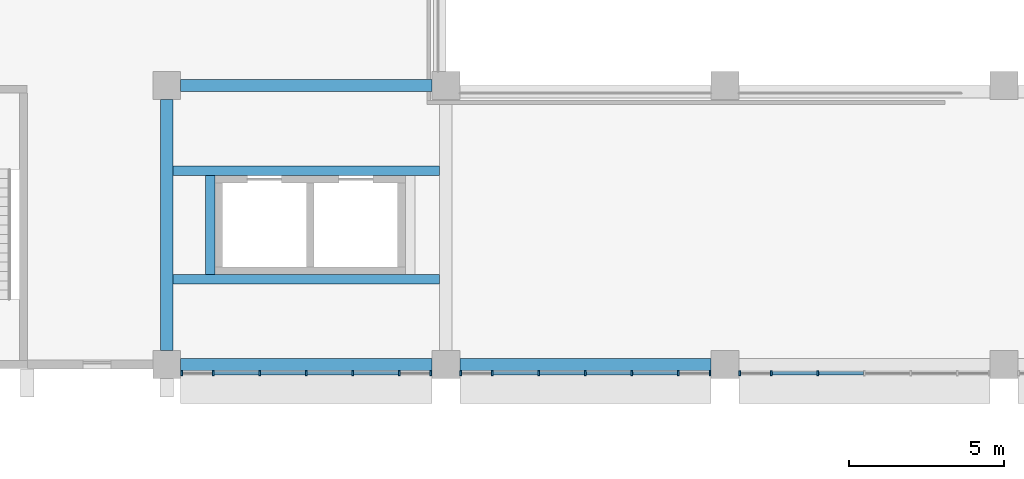
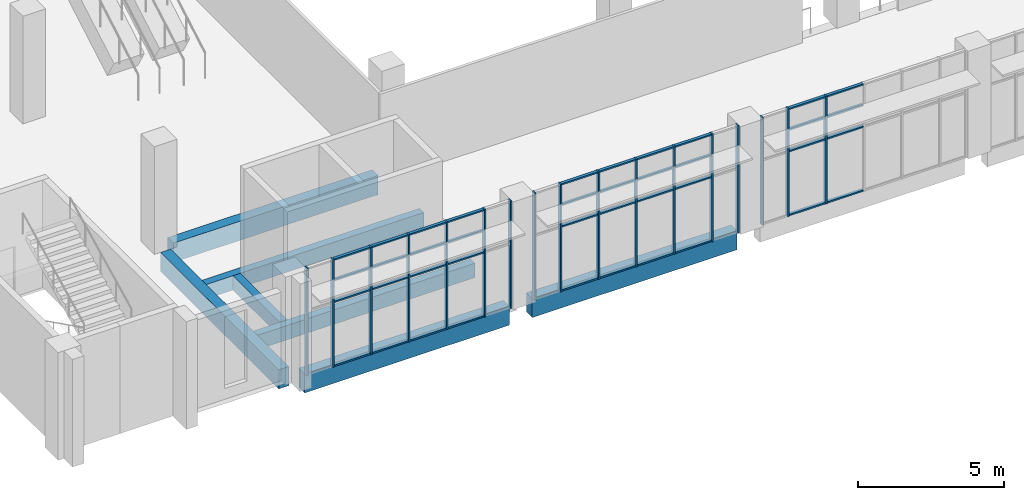
# One storey, part 2 of 88: 57 members, 7 beams, 3 elements without a shape of their own.
"""IFC4 building model written with IfcOpenShell, lengths in metres."""

import ifcopenshell
import ifcopenshell.guid

model = None  # the IFC model being written
_history = None  # IfcOwnerHistory: only IFC2X3 demands one
_inside = {}  # id of a spatial element -> (the spatial element, [elements in it])
_under = {}  # id of a project, library or spatial element -> (it, [spatial elements below it])
_declared = {}  # id of a project -> (the project, [libraries it declares])
_typed = {}  # id of a type object -> (the type object, [elements of that type])
_made_of = {}  # id of a material, layer set ... -> (it, [elements and type objects made of it])


def new_model(schema):
    """Start an empty IFC model of exactly this schema.

    Asked for "IFC4X3", IfcOpenShell would pick the latest addendum, in which some entities
    have other attributes; the version numbers below select the first issue.
    IFC2X3 requires an IfcOwnerHistory on every rooted entity: one is made here for all.
    """
    global model, _history
    if schema == "IFC4X3":
        model = ifcopenshell.file(schema_version=(4, 3, 0, 0))
    else:
        model = ifcopenshell.file(schema=schema)
    _inside.clear()
    _under.clear()
    _declared.clear()
    _typed.clear()
    _made_of.clear()
    _history = None
    if model.schema == "IFC2X3":
        org = make("IfcOrganization", Name="unknown")
        user = make(
            "IfcPersonAndOrganization",
            ThePerson=make("IfcPerson", FamilyName="unknown"),
            TheOrganization=org,
        )
        app = make(
            "IfcApplication",
            ApplicationDeveloper=org,
            Version="unknown",
            ApplicationFullName="unknown",
            ApplicationIdentifier="unknown",
        )
        _history = make(
            "IfcOwnerHistory",
            OwningUser=user,
            OwningApplication=app,
            ChangeAction="ADDED",
            CreationDate=0,
        )
    return model


def make(cls, **values):
    """One entity of the class cls with the attributes given. An attribute that is None is left unset."""
    return model.create_entity(
        cls, **{name: value for name, value in values.items() if value is not None}
    )


def rooted(cls, **values):
    """An entity with a GlobalId (a new one), such as an element, a storey or a relation."""
    return make(cls, GlobalId=ifcopenshell.guid.new(), OwnerHistory=_history, **values)


def si_unit(unit_type, name, prefix=None):
    """IfcSIUnit, for example si_unit("LENGTHUNIT", "METRE", prefix="MILLI")."""
    return make("IfcSIUnit", UnitType=unit_type, Prefix=prefix, Name=name)


def assignment(units):
    """IfcUnitAssignment: the units of a project."""
    return None if units is None else make("IfcUnitAssignment", Units=units)


def point(xyz):
    """IfcCartesianPoint."""
    return None if xyz is None else make("IfcCartesianPoint", Coordinates=xyz)


def direction(xyz):
    """IfcDirection."""
    return None if xyz is None else make("IfcDirection", DirectionRatios=xyz)


def frame(location, z_axis=None, x_axis=None):
    """IfcAxis2Placement3D, a coordinate frame: its origin and axes. An axis left out is left unset."""
    return make(
        "IfcAxis2Placement3D",
        Location=point(location),
        Axis=direction(z_axis),
        RefDirection=direction(x_axis),
    )


def frame_2d(location, x_axis=None):
    """IfcAxis2Placement2D, a coordinate frame in the plane: its origin and x axis."""
    return make(
        "IfcAxis2Placement2D", Location=point(location), RefDirection=direction(x_axis)
    )


def origin():
    """The frame at (0, 0, 0) with its axes left unset."""
    return frame((0.0, 0.0, 0.0))


def origin_2d():
    """The frame at (0, 0) in the plane with its x axis left unset."""
    return frame_2d((0.0, 0.0))


def place(relative_to, where):
    """IfcLocalPlacement: puts the frame where relative to a parent placement (None: the world)."""
    return make(
        "IfcLocalPlacement", PlacementRelTo=relative_to, RelativePlacement=where
    )


def context(
    kind, dimensions, precision=None, world=None, true_north=None, identifier=None
):
    """IfcGeometricRepresentationContext, for example the 3D "Model" context."""
    return make(
        "IfcGeometricRepresentationContext",
        ContextIdentifier=identifier,
        ContextType=kind,
        CoordinateSpaceDimension=dimensions,
        Precision=precision,
        WorldCoordinateSystem=world,
        TrueNorth=true_north,
    )


def subcontext(parent, identifier, kind, view, scale=None):
    """IfcGeometricRepresentationSubContext, for example "Body" below "Model"."""
    return make(
        "IfcGeometricRepresentationSubContext",
        ContextIdentifier=identifier,
        ContextType=kind,
        ParentContext=parent,
        TargetScale=scale,
        TargetView=view,
    )


def project(units=None, contexts=None):
    """IfcProject with its units and contexts."""
    return rooted(
        "IfcProject",
        Name="project",
        RepresentationContexts=contexts,
        UnitsInContext=assignment(units),
    )


def spatial(cls, under=None, at=None, **own):
    """A site, building, storey or space (cls), placed at a placement, below another one or the project."""
    s = rooted(cls, ObjectPlacement=at, **own)
    if under is not None:
        _under.setdefault(under.id(), (under, []))[1].append(s)
    return s


def profile(cls, at=None, kind="AREA", **sizes):
    """A parametric profile (cls). Its sizes go by their IFC names, for example OverallWidth=200.0."""
    return make(cls, ProfileType=kind, Position=at, **sizes)


def rectangle(**sizes):
    """IfcRectangleProfileDef."""
    return profile("IfcRectangleProfileDef", **sizes)


def extrude(swept, where, along, depth):
    """IfcExtrudedAreaSolid: the profile swept, set in the frame where, extruded along a direction by depth."""
    return make(
        "IfcExtrudedAreaSolid",
        SweptArea=swept,
        Position=where,
        ExtrudedDirection=direction(along),
        Depth=depth,
    )


def shape(context_of_items, identifier, shape_type, items):
    """IfcShapeRepresentation: the items that make up one representation, for example the "Body"."""
    return make(
        "IfcShapeRepresentation",
        ContextOfItems=context_of_items,
        RepresentationIdentifier=identifier,
        RepresentationType=shape_type,
        Items=items,
    )


def material(Name=None, Category=None):
    """IfcMaterial."""
    return make("IfcMaterial", Name=Name, Category=Category)


def layer(
    of_material, thickness, ventilated=None, Name=None, Category=None, Priority=None
):
    """IfcMaterialLayer: one layer of a wall or slab, of a material (None: an air gap)."""
    return make(
        "IfcMaterialLayer",
        Material=of_material,
        LayerThickness=thickness,
        IsVentilated=ventilated,
        Name=Name,
        Category=Category,
        Priority=Priority,
    )


def layer_set(layers, Name=None):
    """IfcMaterialLayerSet."""
    return make("IfcMaterialLayerSet", MaterialLayers=layers, LayerSetName=Name)


def material_profile(
    of_material, cross_section, Name=None, Category=None, Priority=None
):
    """IfcMaterialProfile: a cross section and its material."""
    return make(
        "IfcMaterialProfile",
        Name=Name,
        Material=of_material,
        Profile=cross_section,
        Priority=Priority,
        Category=Category,
    )


def profile_set(profiles, Name=None, composite=None):
    """IfcMaterialProfileSet."""
    return make(
        "IfcMaterialProfileSet",
        Name=Name,
        MaterialProfiles=profiles,
        CompositeProfile=composite,
    )


def made_of(thing, what):
    """Note that an element or type object is made of a material, layer set ...; save() writes the relation."""
    if what is not None:
        _made_of.setdefault(what.id(), (what, []))[1].append(thing)
    return thing


def type_object(cls, material=None, **own):
    """A type object (cls), such as IfcWallType, which elements share."""
    return made_of(rooted(cls, **own), material)


def element(
    cls,
    number,
    at=None,
    inside=None,
    cuts=None,
    type_object=None,
    material=None,
    context=None,
    identifier="Body",
    shape_type=None,
    held_by="IfcProductDefinitionShape",
    body=None,
    shapes=None,
    **own,
):
    """One element of the class cls, such as IfcWall. Its Tag is "e" and its number.

    at: its placement. inside: the storey or other place that contains it. cuts: it is an
    opening in that element (IfcRelVoidsElement). A single representation is given by context,
    identifier, shape_type and body (its items); several are given by shapes. held_by: the class
    of the entity that holds the representations. save() writes the other relations.
    """
    e = rooted(cls, Tag="e%d" % number, ObjectPlacement=at, **own)
    if body is not None:
        shapes = [shape(context, identifier, shape_type, body)]
    if shapes is not None:
        e.Representation = make(held_by, Representations=shapes)
    if inside is not None:
        _inside.setdefault(inside.id(), (inside, []))[1].append(e)
    if cuts is not None:
        rooted(
            "IfcRelVoidsElement", RelatingBuildingElement=cuts, RelatedOpeningElement=e
        )
    if type_object is not None:
        _typed.setdefault(type_object.id(), (type_object, []))[1].append(e)
    return made_of(e, material)


def aggregate(whole, parts):
    """IfcRelAggregates: a whole, such as a stair, and the parts it consists of."""
    return rooted("IfcRelAggregates", RelatingObject=whole, RelatedObjects=parts)


def save(model, path):
    """Write the relations noted so far, then the file.

    IfcRelAggregates (storeys below a building ...), IfcRelContainedInSpatialStructure (elements
    in a storey), IfcRelDefinesByType, IfcRelAssociatesMaterial and IfcRelDeclares: one each for
    every whole, place, type object, material and project.
    """
    for whole, parts in _under.values():
        aggregate(whole, parts)
    for where, things in _inside.values():
        rooted(
            "IfcRelContainedInSpatialStructure",
            RelatedElements=things,
            RelatingStructure=where,
        )
    for kind, things in _typed.values():
        rooted("IfcRelDefinesByType", RelatedObjects=things, RelatingType=kind)
    for what, things in _made_of.values():
        rooted("IfcRelAssociatesMaterial", RelatedObjects=things, RelatingMaterial=what)
    for by, libraries in _declared.values():
        rooted("IfcRelDeclares", RelatingContext=by, RelatedDefinitions=libraries)
    model.write(path)


model = new_model("IFC4")

# Units and contexts
model_context = context("Model", 3, precision=1e-05, world=origin(), true_north=direction((0.0, 1.0)))
body_context = subcontext(model_context, "Body", "Model", "MODEL_VIEW")
ifc_project = project(units=[si_unit("LENGTHUNIT", "METRE"), si_unit("AREAUNIT", "SQUARE_METRE"), si_unit("VOLUMEUNIT", "CUBIC_METRE"), si_unit("PLANEANGLEUNIT", "RADIAN"), si_unit("MASSUNIT", "GRAM", prefix="KILO")], contexts=[model_context])

# Site, building, storey
site_placement = place(None, origin())
site = spatial("IfcSite", under=ifc_project, at=site_placement, CompositionType="ELEMENT")
building_placement = place(site_placement, origin())
building = spatial("IfcBuilding", under=site, at=building_placement, Name="Guidao Yard Department Store", CompositionType="ELEMENT")
storey_placement = place(building_placement, frame((0.0, 0.0, 6.0)))
storey = spatial("IfcBuildingStorey", under=building, at=storey_placement, Name="L01", CompositionType="ELEMENT", Elevation=6.0)

# Beams
ifc_material_1 = material(Name="Concrete C40", Category="concrete")
ifc_material_profile_1 = material_profile(ifc_material_1, rectangle(XDim=0.39990234375, YDim=0.800048828125, at=origin_2d()), Name="Edge beam 400 x 800 C40")
ifc_profile_set_1 = profile_set([ifc_material_profile_1], Name="Concrete C40")
beam_type_1 = type_object("IfcBeamType", Name="Edge beam 400 x 800 C40", PredefinedType="BEAM", material=ifc_profile_set_1)
for number, where, z_axis, x_axis, name in (
    (1, (9.449951171875, 54.0, -0.39990234375), (1.0, 0.0, 0.0), (0.0, 1.0, 0.0), "Beam EB85"),
    (2, (9.0, 45.449951171875, -0.39990234375), (0.0, 1.0, 0.0), (-1.0, 0.0, 0.0), "Beam EB86"),
):
    element("IfcBeam", number, at=place(storey_placement, frame(where, z_axis=z_axis, x_axis=x_axis)), inside=storey, type_object=beam_type_1, Name=name, PredefinedType="BEAM", context=body_context, shape_type="SweptSolid", body=[
        extrude(rectangle(XDim=0.39990234375, YDim=0.800048828125, at=origin_2d()), origin(), (0.0, 0.0, 1.0), 8.10009765625),
    ])

# Curtain wall, members
ifc_material_2 = material(Name="Aluminium and glass", Category="aluminium")
ifc_layer = layer(ifc_material_2, 0.159912109375)
ifc_layer_set = layer_set([ifc_layer], Name="Hall front curtain wall CW2 1500 module")
curtain_wall_type = type_object("IfcCurtainWallType", Name="Hall front curtain wall CW2 1500 module", PredefinedType="NOTDEFINED", material=ifc_layer_set)
curtain_wall_1_placement = place(storey_placement, origin())
curtain_wall_1 = element("IfcCurtainWall", 3, at=curtain_wall_1_placement, inside=storey, type_object=curtain_wall_type, Name="Hall front curtain wall", PredefinedType="NOTDEFINED")
ifc_material_3 = material(Name="Aluminium 6063-T5", Category="aluminium")
ifc_material_profile_2 = material_profile(ifc_material_3, rectangle(XDim=0.06005859375, YDim=0.159912109375, at=origin_2d()), Name="Mullion M1 60 x 160 aluminium pressure plate")
ifc_profile_set_2 = profile_set([ifc_material_profile_2], Name="Aluminium 6063-T5")
member_type_1 = type_object("IfcMemberType", Name="Mullion M1 60 x 160 aluminium pressure plate", PredefinedType="MULLION", material=ifc_profile_set_2)
member_1_placement = place(storey_placement, frame((9.47998046875, 44.719970703125, 0.0), z_axis=(0.0, 0.0, 1.0), x_axis=(-1.0, 0.0, 0.0)))
member_1 = element("IfcMember", 4, at=member_1_placement, type_object=member_type_1, Name="CW-HF-L01-01 mullion 1", PredefinedType="MULLION", context=body_context, shape_type="SweptSolid", body=[
    extrude(rectangle(XDim=0.06005859375, YDim=0.159912109375, at=origin_2d()), origin(), (0.0, 0.0, 1.0), 4.5),
])
member_2_placement = place(storey_placement, frame((10.5, 44.719970703125, 0.0), z_axis=(0.0, 0.0, 1.0), x_axis=(-1.0, 0.0, 0.0)))
member_2 = element("IfcMember", 5, at=member_2_placement, type_object=member_type_1, Name="CW-HF-L01-01 mullion 2", PredefinedType="MULLION", context=body_context, shape_type="SweptSolid", body=[
    extrude(rectangle(XDim=0.06005859375, YDim=0.159912109375, at=origin_2d()), origin(), (0.0, 0.0, 1.0), 4.5),
])
member_3_placement = place(storey_placement, frame((12.0, 44.719970703125, 0.0), z_axis=(0.0, 0.0, 1.0), x_axis=(-1.0, 0.0, 0.0)))
member_3 = element("IfcMember", 6, at=member_3_placement, type_object=member_type_1, Name="CW-HF-L01-01 mullion 3", PredefinedType="MULLION", context=body_context, shape_type="SweptSolid", body=[
    extrude(rectangle(XDim=0.06005859375, YDim=0.159912109375, at=origin_2d()), origin(), (0.0, 0.0, 1.0), 4.5),
])
member_4_placement = place(storey_placement, frame((13.5, 44.719970703125, 0.0), z_axis=(0.0, 0.0, 1.0), x_axis=(-1.0, 0.0, 0.0)))
member_4 = element("IfcMember", 7, at=member_4_placement, type_object=member_type_1, Name="CW-HF-L01-01 mullion 4", PredefinedType="MULLION", context=body_context, shape_type="SweptSolid", body=[
    extrude(rectangle(XDim=0.06005859375, YDim=0.159912109375, at=origin_2d()), origin(), (0.0, 0.0, 1.0), 4.5),
])
member_5_placement = place(storey_placement, frame((15.0, 44.719970703125, 0.0), z_axis=(0.0, 0.0, 1.0), x_axis=(-1.0, 0.0, 0.0)))
member_5 = element("IfcMember", 8, at=member_5_placement, type_object=member_type_1, Name="CW-HF-L01-01 mullion 5", PredefinedType="MULLION", context=body_context, shape_type="SweptSolid", body=[
    extrude(rectangle(XDim=0.06005859375, YDim=0.159912109375, at=origin_2d()), origin(), (0.0, 0.0, 1.0), 4.5),
])
member_6_placement = place(storey_placement, frame((16.5, 44.719970703125, 0.0), z_axis=(0.0, 0.0, 1.0), x_axis=(-1.0, 0.0, 0.0)))
member_6 = element("IfcMember", 9, at=member_6_placement, type_object=member_type_1, Name="CW-HF-L01-01 mullion 6", PredefinedType="MULLION", context=body_context, shape_type="SweptSolid", body=[
    extrude(rectangle(XDim=0.06005859375, YDim=0.159912109375, at=origin_2d()), origin(), (0.0, 0.0, 1.0), 4.5),
])
member_7_placement = place(storey_placement, frame((17.52001953125, 44.719970703125, 0.0), z_axis=(0.0, 0.0, 1.0), x_axis=(-1.0, 0.0, 0.0)))
member_7 = element("IfcMember", 10, at=member_7_placement, type_object=member_type_1, Name="CW-HF-L01-01 mullion 7", PredefinedType="MULLION", context=body_context, shape_type="SweptSolid", body=[
    extrude(rectangle(XDim=0.06005859375, YDim=0.159912109375, at=origin_2d()), origin(), (0.0, 0.0, 1.0), 4.5),
])

curtain_wall_2_placement = place(storey_placement, origin())
curtain_wall_2 = element("IfcCurtainWall", 11, at=curtain_wall_2_placement, inside=storey, type_object=curtain_wall_type, Name="Hall front curtain wall", PredefinedType="NOTDEFINED")
member_8_placement = place(storey_placement, frame((18.47998046875, 44.719970703125, 0.0), z_axis=(0.0, 0.0, 1.0), x_axis=(-1.0, 0.0, 0.0)))
member_8 = element("IfcMember", 12, at=member_8_placement, type_object=member_type_1, Name="CW-HF-L01-02 mullion 1", PredefinedType="MULLION", context=body_context, shape_type="SweptSolid", body=[
    extrude(rectangle(XDim=0.06005859375, YDim=0.159912109375, at=origin_2d()), origin(), (0.0, 0.0, 1.0), 4.5),
])
member_9_placement = place(storey_placement, frame((19.5, 44.719970703125, 0.0), z_axis=(0.0, 0.0, 1.0), x_axis=(-1.0, 0.0, 0.0)))
member_9 = element("IfcMember", 13, at=member_9_placement, type_object=member_type_1, Name="CW-HF-L01-02 mullion 2", PredefinedType="MULLION", context=body_context, shape_type="SweptSolid", body=[
    extrude(rectangle(XDim=0.06005859375, YDim=0.159912109375, at=origin_2d()), origin(), (0.0, 0.0, 1.0), 4.5),
])
member_10_placement = place(storey_placement, frame((21.0, 44.719970703125, 0.0), z_axis=(0.0, 0.0, 1.0), x_axis=(-1.0, 0.0, 0.0)))
member_10 = element("IfcMember", 14, at=member_10_placement, type_object=member_type_1, Name="CW-HF-L01-02 mullion 3", PredefinedType="MULLION", context=body_context, shape_type="SweptSolid", body=[
    extrude(rectangle(XDim=0.06005859375, YDim=0.159912109375, at=origin_2d()), origin(), (0.0, 0.0, 1.0), 4.5),
])
member_11_placement = place(storey_placement, frame((22.5, 44.719970703125, 0.0), z_axis=(0.0, 0.0, 1.0), x_axis=(-1.0, 0.0, 0.0)))
member_11 = element("IfcMember", 15, at=member_11_placement, type_object=member_type_1, Name="CW-HF-L01-02 mullion 4", PredefinedType="MULLION", context=body_context, shape_type="SweptSolid", body=[
    extrude(rectangle(XDim=0.06005859375, YDim=0.159912109375, at=origin_2d()), origin(), (0.0, 0.0, 1.0), 4.5),
])
member_12_placement = place(storey_placement, frame((24.0, 44.719970703125, 0.0), z_axis=(0.0, 0.0, 1.0), x_axis=(-1.0, 0.0, 0.0)))
member_12 = element("IfcMember", 16, at=member_12_placement, type_object=member_type_1, Name="CW-HF-L01-02 mullion 5", PredefinedType="MULLION", context=body_context, shape_type="SweptSolid", body=[
    extrude(rectangle(XDim=0.06005859375, YDim=0.159912109375, at=origin_2d()), origin(), (0.0, 0.0, 1.0), 4.5),
])
member_13_placement = place(storey_placement, frame((25.5, 44.719970703125, 0.0), z_axis=(0.0, 0.0, 1.0), x_axis=(-1.0, 0.0, 0.0)))
member_13 = element("IfcMember", 17, at=member_13_placement, type_object=member_type_1, Name="CW-HF-L01-02 mullion 6", PredefinedType="MULLION", context=body_context, shape_type="SweptSolid", body=[
    extrude(rectangle(XDim=0.06005859375, YDim=0.159912109375, at=origin_2d()), origin(), (0.0, 0.0, 1.0), 4.5),
])
member_14_placement = place(storey_placement, frame((26.52001953125, 44.719970703125, 0.0), z_axis=(0.0, 0.0, 1.0), x_axis=(-1.0, 0.0, 0.0)))
member_14 = element("IfcMember", 18, at=member_14_placement, type_object=member_type_1, Name="CW-HF-L01-02 mullion 7", PredefinedType="MULLION", context=body_context, shape_type="SweptSolid", body=[
    extrude(rectangle(XDim=0.06005859375, YDim=0.159912109375, at=origin_2d()), origin(), (0.0, 0.0, 1.0), 4.5),
])

curtain_wall_3_placement = place(storey_placement, origin())
curtain_wall_3 = element("IfcCurtainWall", 19, at=curtain_wall_3_placement, inside=storey, type_object=curtain_wall_type, Name="Hall front curtain wall", PredefinedType="NOTDEFINED")
member_15_placement = place(storey_placement, frame((27.47998046875, 44.719970703125, 0.0), z_axis=(0.0, 0.0, 1.0), x_axis=(-1.0, 0.0, 0.0)))
member_15 = element("IfcMember", 20, at=member_15_placement, type_object=member_type_1, Name="CW-HF-L01-03 mullion 1", PredefinedType="MULLION", context=body_context, shape_type="SweptSolid", body=[
    extrude(rectangle(XDim=0.06005859375, YDim=0.159912109375, at=origin_2d()), origin(), (0.0, 0.0, 1.0), 4.5),
])
member_16_placement = place(storey_placement, frame((28.5, 44.719970703125, 0.0), z_axis=(0.0, 0.0, 1.0), x_axis=(-1.0, 0.0, 0.0)))
member_16 = element("IfcMember", 21, at=member_16_placement, type_object=member_type_1, Name="CW-HF-L01-03 mullion 2", PredefinedType="MULLION", context=body_context, shape_type="SweptSolid", body=[
    extrude(rectangle(XDim=0.06005859375, YDim=0.159912109375, at=origin_2d()), origin(), (0.0, 0.0, 1.0), 4.5),
])
member_17_placement = place(storey_placement, frame((30.0, 44.719970703125, 0.0), z_axis=(0.0, 0.0, 1.0), x_axis=(-1.0, 0.0, 0.0)))
member_17 = element("IfcMember", 22, at=member_17_placement, type_object=member_type_1, Name="CW-HF-L01-03 mullion 3", PredefinedType="MULLION", context=body_context, shape_type="SweptSolid", body=[
    extrude(rectangle(XDim=0.06005859375, YDim=0.159912109375, at=origin_2d()), origin(), (0.0, 0.0, 1.0), 4.5),
])

# Beams
ifc_material_4 = material(Name="Concrete C40", Category="concrete")
ifc_material_profile_3 = material_profile(ifc_material_4, rectangle(XDim=0.300048828125, YDim=0.60009765625, at=origin_2d()), Name="Opening beam 300 x 600 C40")
ifc_profile_set_3 = profile_set([ifc_material_profile_3], Name="Concrete C40")
beam_type_2 = type_object("IfcBeamType", Name="Opening beam 300 x 600 C40", PredefinedType="BEAM", material=ifc_profile_set_3)
for number, where, z_axis, x_axis, name in (
    (23, (9.199951171875, 47.75, -0.300048828125), (1.0, 0.0, 0.0), (0.0, 1.0, 0.0), "Beam OB01"),
    (24, (9.199951171875, 51.25, -0.300048828125), (1.0, 0.0, 0.0), (0.0, 1.0, 0.0), "Beam OB02"),
):
    element("IfcBeam", number, at=place(storey_placement, frame(where, z_axis=z_axis, x_axis=x_axis)), inside=storey, type_object=beam_type_2, Name=name, PredefinedType="BEAM", context=body_context, shape_type="SweptSolid", body=[
        extrude(rectangle(XDim=0.300048828125, YDim=0.60009765625, at=origin_2d()), origin(), (0.0, 0.0, 1.0), 8.60009765625),
    ])
beam_placement = place(storey_placement, frame((10.39990234375, 47.89990234375, -0.300048828125), z_axis=(0.0, 1.0, 0.0), x_axis=(-1.0, 0.0, 0.0)))
element("IfcBeam", 25, at=beam_placement, inside=storey, type_object=beam_type_2, Name="Beam OB03", PredefinedType="BEAM", context=body_context, shape_type="SweptSolid", body=[
    extrude(rectangle(XDim=0.300048828125, YDim=0.60009765625, at=origin_2d()), origin(), (0.0, 0.0, 1.0), 3.2001953125),
])
ifc_material_5 = material(Name="Concrete C40", Category="concrete")
ifc_material_profile_4 = material_profile(ifc_material_5, rectangle(XDim=0.39990234375, YDim=0.800048828125, at=origin_2d()), Name="Spandrel beam 400 x 800 C40")
ifc_profile_set_4 = profile_set([ifc_material_profile_4], Name="Concrete C40")
beam_type_3 = type_object("IfcBeamType", Name="Spandrel beam 400 x 800 C40", PredefinedType="SPANDREL", material=ifc_profile_set_4)
for number, where, z_axis, x_axis, name in (
    (26, (9.449951171875, 45.0, -0.39990234375), (1.0, 0.0, 0.0), (0.0, 1.0, 0.0), "Beam EB01"),
    (27, (18.449951171875, 45.0, -0.39990234375), (1.0, 0.0, 0.0), (0.0, 1.0, 0.0), "Beam EB02"),
):
    element("IfcBeam", number, at=place(storey_placement, frame(where, z_axis=z_axis, x_axis=x_axis)), inside=storey, type_object=beam_type_3, Name=name, PredefinedType="SPANDREL", context=body_context, shape_type="SweptSolid", body=[
        extrude(rectangle(XDim=0.39990234375, YDim=0.800048828125, at=origin_2d()), origin(), (0.0, 0.0, 1.0), 8.10009765625),
    ])

# Member
ifc_material_6 = material(Name="Aluminium 6063-T5", Category="aluminium")
ifc_material_profile_5 = material_profile(ifc_material_6, rectangle(XDim=0.1201171875, YDim=0.06005859375, at=origin_2d()), Name="Transom T1 60 x 120 aluminium pressure plate")
ifc_profile_set_5 = profile_set([ifc_material_profile_5], Name="Aluminium 6063-T5")
member_type_2 = type_object("IfcMemberType", Name="Transom T1 60 x 120 aluminium pressure plate", PredefinedType="USERDEFINED", material=ifc_profile_set_5)
member_18_placement = place(storey_placement, frame((11.969970703125, 44.719970703125, 0.030029296875), z_axis=(-1.0, 0.0, 0.0), x_axis=(0.0, -1.0, 0.0)))
member_18 = element("IfcMember", 28, at=member_18_placement, type_object=member_type_2, Name="CW-HF-L01-01 transom 2.1", ObjectType="TRANSOM", PredefinedType="USERDEFINED", context=body_context, shape_type="SweptSolid", body=[
    extrude(rectangle(XDim=0.1201171875, YDim=0.06005859375, at=origin_2d()), origin(), (0.0, 0.0, 1.0), 1.43994140625),
])

member_19_placement = place(storey_placement, frame((11.969970703125, 44.719970703125, 2.699951171875), z_axis=(-1.0, 0.0, 0.0), x_axis=(0.0, -1.0, 0.0)))
member_19 = element("IfcMember", 29, at=member_19_placement, type_object=member_type_2, Name="CW-HF-L01-01 transom 2.2", ObjectType="TRANSOM", PredefinedType="USERDEFINED", context=body_context, shape_type="SweptSolid", body=[
    extrude(rectangle(XDim=0.1201171875, YDim=0.06005859375, at=origin_2d()), origin(), (0.0, 0.0, 1.0), 1.43994140625),
])

member_20_placement = place(storey_placement, frame((11.969970703125, 44.719970703125, 3.60009765625), z_axis=(-1.0, 0.0, 0.0), x_axis=(0.0, -1.0, 0.0)))
member_20 = element("IfcMember", 30, at=member_20_placement, type_object=member_type_2, Name="CW-HF-L01-01 transom 2.3", ObjectType="TRANSOM", PredefinedType="USERDEFINED", context=body_context, shape_type="SweptSolid", body=[
    extrude(rectangle(XDim=0.1201171875, YDim=0.06005859375, at=origin_2d()), origin(), (0.0, 0.0, 1.0), 1.43994140625),
])

member_21_placement = place(storey_placement, frame((11.969970703125, 44.719970703125, 4.469970703125), z_axis=(-1.0, 0.0, 0.0), x_axis=(0.0, -1.0, 0.0)))
member_21 = element("IfcMember", 31, at=member_21_placement, type_object=member_type_2, Name="CW-HF-L01-01 transom 2.4", ObjectType="TRANSOM", PredefinedType="USERDEFINED", context=body_context, shape_type="SweptSolid", body=[
    extrude(rectangle(XDim=0.1201171875, YDim=0.06005859375, at=origin_2d()), origin(), (0.0, 0.0, 1.0), 1.43994140625),
])

member_22_placement = place(storey_placement, frame((13.469970703125, 44.719970703125, 0.030029296875), z_axis=(-1.0, 0.0, 0.0), x_axis=(0.0, -1.0, 0.0)))
member_22 = element("IfcMember", 32, at=member_22_placement, type_object=member_type_2, Name="CW-HF-L01-01 transom 3.1", ObjectType="TRANSOM", PredefinedType="USERDEFINED", context=body_context, shape_type="SweptSolid", body=[
    extrude(rectangle(XDim=0.1201171875, YDim=0.06005859375, at=origin_2d()), origin(), (0.0, 0.0, 1.0), 1.43994140625),
])

member_23_placement = place(storey_placement, frame((13.469970703125, 44.719970703125, 2.699951171875), z_axis=(-1.0, 0.0, 0.0), x_axis=(0.0, -1.0, 0.0)))
member_23 = element("IfcMember", 33, at=member_23_placement, type_object=member_type_2, Name="CW-HF-L01-01 transom 3.2", ObjectType="TRANSOM", PredefinedType="USERDEFINED", context=body_context, shape_type="SweptSolid", body=[
    extrude(rectangle(XDim=0.1201171875, YDim=0.06005859375, at=origin_2d()), origin(), (0.0, 0.0, 1.0), 1.43994140625),
])

member_24_placement = place(storey_placement, frame((13.469970703125, 44.719970703125, 3.60009765625), z_axis=(-1.0, 0.0, 0.0), x_axis=(0.0, -1.0, 0.0)))
member_24 = element("IfcMember", 34, at=member_24_placement, type_object=member_type_2, Name="CW-HF-L01-01 transom 3.3", ObjectType="TRANSOM", PredefinedType="USERDEFINED", context=body_context, shape_type="SweptSolid", body=[
    extrude(rectangle(XDim=0.1201171875, YDim=0.06005859375, at=origin_2d()), origin(), (0.0, 0.0, 1.0), 1.43994140625),
])

member_25_placement = place(storey_placement, frame((13.469970703125, 44.719970703125, 4.469970703125), z_axis=(-1.0, 0.0, 0.0), x_axis=(0.0, -1.0, 0.0)))
member_25 = element("IfcMember", 35, at=member_25_placement, type_object=member_type_2, Name="CW-HF-L01-01 transom 3.4", ObjectType="TRANSOM", PredefinedType="USERDEFINED", context=body_context, shape_type="SweptSolid", body=[
    extrude(rectangle(XDim=0.1201171875, YDim=0.06005859375, at=origin_2d()), origin(), (0.0, 0.0, 1.0), 1.43994140625),
])

member_26_placement = place(storey_placement, frame((14.969970703125, 44.719970703125, 0.030029296875), z_axis=(-1.0, 0.0, 0.0), x_axis=(0.0, -1.0, 0.0)))
member_26 = element("IfcMember", 36, at=member_26_placement, type_object=member_type_2, Name="CW-HF-L01-01 transom 4.1", ObjectType="TRANSOM", PredefinedType="USERDEFINED", context=body_context, shape_type="SweptSolid", body=[
    extrude(rectangle(XDim=0.1201171875, YDim=0.06005859375, at=origin_2d()), origin(), (0.0, 0.0, 1.0), 1.43994140625),
])

member_27_placement = place(storey_placement, frame((14.969970703125, 44.719970703125, 2.699951171875), z_axis=(-1.0, 0.0, 0.0), x_axis=(0.0, -1.0, 0.0)))
member_27 = element("IfcMember", 37, at=member_27_placement, type_object=member_type_2, Name="CW-HF-L01-01 transom 4.2", ObjectType="TRANSOM", PredefinedType="USERDEFINED", context=body_context, shape_type="SweptSolid", body=[
    extrude(rectangle(XDim=0.1201171875, YDim=0.06005859375, at=origin_2d()), origin(), (0.0, 0.0, 1.0), 1.43994140625),
])

member_28_placement = place(storey_placement, frame((14.969970703125, 44.719970703125, 3.60009765625), z_axis=(-1.0, 0.0, 0.0), x_axis=(0.0, -1.0, 0.0)))
member_28 = element("IfcMember", 38, at=member_28_placement, type_object=member_type_2, Name="CW-HF-L01-01 transom 4.3", ObjectType="TRANSOM", PredefinedType="USERDEFINED", context=body_context, shape_type="SweptSolid", body=[
    extrude(rectangle(XDim=0.1201171875, YDim=0.06005859375, at=origin_2d()), origin(), (0.0, 0.0, 1.0), 1.43994140625),
])

member_29_placement = place(storey_placement, frame((14.969970703125, 44.719970703125, 4.469970703125), z_axis=(-1.0, 0.0, 0.0), x_axis=(0.0, -1.0, 0.0)))
member_29 = element("IfcMember", 39, at=member_29_placement, type_object=member_type_2, Name="CW-HF-L01-01 transom 4.4", ObjectType="TRANSOM", PredefinedType="USERDEFINED", context=body_context, shape_type="SweptSolid", body=[
    extrude(rectangle(XDim=0.1201171875, YDim=0.06005859375, at=origin_2d()), origin(), (0.0, 0.0, 1.0), 1.43994140625),
])

member_30_placement = place(storey_placement, frame((16.469970703125, 44.719970703125, 0.030029296875), z_axis=(-1.0, 0.0, 0.0), x_axis=(0.0, -1.0, 0.0)))
member_30 = element("IfcMember", 40, at=member_30_placement, type_object=member_type_2, Name="CW-HF-L01-01 transom 5.1", ObjectType="TRANSOM", PredefinedType="USERDEFINED", context=body_context, shape_type="SweptSolid", body=[
    extrude(rectangle(XDim=0.1201171875, YDim=0.06005859375, at=origin_2d()), origin(), (0.0, 0.0, 1.0), 1.43994140625),
])

member_31_placement = place(storey_placement, frame((16.469970703125, 44.719970703125, 2.699951171875), z_axis=(-1.0, 0.0, 0.0), x_axis=(0.0, -1.0, 0.0)))
member_31 = element("IfcMember", 41, at=member_31_placement, type_object=member_type_2, Name="CW-HF-L01-01 transom 5.2", ObjectType="TRANSOM", PredefinedType="USERDEFINED", context=body_context, shape_type="SweptSolid", body=[
    extrude(rectangle(XDim=0.1201171875, YDim=0.06005859375, at=origin_2d()), origin(), (0.0, 0.0, 1.0), 1.43994140625),
])

member_32_placement = place(storey_placement, frame((16.469970703125, 44.719970703125, 3.60009765625), z_axis=(-1.0, 0.0, 0.0), x_axis=(0.0, -1.0, 0.0)))
member_32 = element("IfcMember", 42, at=member_32_placement, type_object=member_type_2, Name="CW-HF-L01-01 transom 5.3", ObjectType="TRANSOM", PredefinedType="USERDEFINED", context=body_context, shape_type="SweptSolid", body=[
    extrude(rectangle(XDim=0.1201171875, YDim=0.06005859375, at=origin_2d()), origin(), (0.0, 0.0, 1.0), 1.43994140625),
])

member_33_placement = place(storey_placement, frame((16.469970703125, 44.719970703125, 4.469970703125), z_axis=(-1.0, 0.0, 0.0), x_axis=(0.0, -1.0, 0.0)))
member_33 = element("IfcMember", 43, at=member_33_placement, type_object=member_type_2, Name="CW-HF-L01-01 transom 5.4", ObjectType="TRANSOM", PredefinedType="USERDEFINED", context=body_context, shape_type="SweptSolid", body=[
    extrude(rectangle(XDim=0.1201171875, YDim=0.06005859375, at=origin_2d()), origin(), (0.0, 0.0, 1.0), 1.43994140625),
])

aggregate(curtain_wall_1, [member_1, member_2, member_3, member_4, member_5, member_6, member_7, member_18, member_19, member_20, member_21, member_22, member_23, member_24, member_25, member_26, member_27, member_28, member_29, member_30, member_31, member_32, member_33])

member_34_placement = place(storey_placement, frame((20.969970703125, 44.719970703125, 0.030029296875), z_axis=(-1.0, 0.0, 0.0), x_axis=(0.0, -1.0, 0.0)))
member_34 = element("IfcMember", 44, at=member_34_placement, type_object=member_type_2, Name="CW-HF-L01-02 transom 2.1", ObjectType="TRANSOM", PredefinedType="USERDEFINED", context=body_context, shape_type="SweptSolid", body=[
    extrude(rectangle(XDim=0.1201171875, YDim=0.06005859375, at=origin_2d()), origin(), (0.0, 0.0, 1.0), 1.43994140625),
])

member_35_placement = place(storey_placement, frame((20.969970703125, 44.719970703125, 2.699951171875), z_axis=(-1.0, 0.0, 0.0), x_axis=(0.0, -1.0, 0.0)))
member_35 = element("IfcMember", 45, at=member_35_placement, type_object=member_type_2, Name="CW-HF-L01-02 transom 2.2", ObjectType="TRANSOM", PredefinedType="USERDEFINED", context=body_context, shape_type="SweptSolid", body=[
    extrude(rectangle(XDim=0.1201171875, YDim=0.06005859375, at=origin_2d()), origin(), (0.0, 0.0, 1.0), 1.43994140625),
])

member_36_placement = place(storey_placement, frame((20.969970703125, 44.719970703125, 3.60009765625), z_axis=(-1.0, 0.0, 0.0), x_axis=(0.0, -1.0, 0.0)))
member_36 = element("IfcMember", 46, at=member_36_placement, type_object=member_type_2, Name="CW-HF-L01-02 transom 2.3", ObjectType="TRANSOM", PredefinedType="USERDEFINED", context=body_context, shape_type="SweptSolid", body=[
    extrude(rectangle(XDim=0.1201171875, YDim=0.06005859375, at=origin_2d()), origin(), (0.0, 0.0, 1.0), 1.43994140625),
])

member_37_placement = place(storey_placement, frame((20.969970703125, 44.719970703125, 4.469970703125), z_axis=(-1.0, 0.0, 0.0), x_axis=(0.0, -1.0, 0.0)))
member_37 = element("IfcMember", 47, at=member_37_placement, type_object=member_type_2, Name="CW-HF-L01-02 transom 2.4", ObjectType="TRANSOM", PredefinedType="USERDEFINED", context=body_context, shape_type="SweptSolid", body=[
    extrude(rectangle(XDim=0.1201171875, YDim=0.06005859375, at=origin_2d()), origin(), (0.0, 0.0, 1.0), 1.43994140625),
])

member_38_placement = place(storey_placement, frame((22.469970703125, 44.719970703125, 0.030029296875), z_axis=(-1.0, 0.0, 0.0), x_axis=(0.0, -1.0, 0.0)))
member_38 = element("IfcMember", 48, at=member_38_placement, type_object=member_type_2, Name="CW-HF-L01-02 transom 3.1", ObjectType="TRANSOM", PredefinedType="USERDEFINED", context=body_context, shape_type="SweptSolid", body=[
    extrude(rectangle(XDim=0.1201171875, YDim=0.06005859375, at=origin_2d()), origin(), (0.0, 0.0, 1.0), 1.43994140625),
])

member_39_placement = place(storey_placement, frame((22.469970703125, 44.719970703125, 2.699951171875), z_axis=(-1.0, 0.0, 0.0), x_axis=(0.0, -1.0, 0.0)))
member_39 = element("IfcMember", 49, at=member_39_placement, type_object=member_type_2, Name="CW-HF-L01-02 transom 3.2", ObjectType="TRANSOM", PredefinedType="USERDEFINED", context=body_context, shape_type="SweptSolid", body=[
    extrude(rectangle(XDim=0.1201171875, YDim=0.06005859375, at=origin_2d()), origin(), (0.0, 0.0, 1.0), 1.43994140625),
])

member_40_placement = place(storey_placement, frame((22.469970703125, 44.719970703125, 3.60009765625), z_axis=(-1.0, 0.0, 0.0), x_axis=(0.0, -1.0, 0.0)))
member_40 = element("IfcMember", 50, at=member_40_placement, type_object=member_type_2, Name="CW-HF-L01-02 transom 3.3", ObjectType="TRANSOM", PredefinedType="USERDEFINED", context=body_context, shape_type="SweptSolid", body=[
    extrude(rectangle(XDim=0.1201171875, YDim=0.06005859375, at=origin_2d()), origin(), (0.0, 0.0, 1.0), 1.43994140625),
])

member_41_placement = place(storey_placement, frame((22.469970703125, 44.719970703125, 4.469970703125), z_axis=(-1.0, 0.0, 0.0), x_axis=(0.0, -1.0, 0.0)))
member_41 = element("IfcMember", 51, at=member_41_placement, type_object=member_type_2, Name="CW-HF-L01-02 transom 3.4", ObjectType="TRANSOM", PredefinedType="USERDEFINED", context=body_context, shape_type="SweptSolid", body=[
    extrude(rectangle(XDim=0.1201171875, YDim=0.06005859375, at=origin_2d()), origin(), (0.0, 0.0, 1.0), 1.43994140625),
])

member_42_placement = place(storey_placement, frame((23.969970703125, 44.719970703125, 0.030029296875), z_axis=(-1.0, 0.0, 0.0), x_axis=(0.0, -1.0, 0.0)))
member_42 = element("IfcMember", 52, at=member_42_placement, type_object=member_type_2, Name="CW-HF-L01-02 transom 4.1", ObjectType="TRANSOM", PredefinedType="USERDEFINED", context=body_context, shape_type="SweptSolid", body=[
    extrude(rectangle(XDim=0.1201171875, YDim=0.06005859375, at=origin_2d()), origin(), (0.0, 0.0, 1.0), 1.43994140625),
])

member_43_placement = place(storey_placement, frame((23.969970703125, 44.719970703125, 2.699951171875), z_axis=(-1.0, 0.0, 0.0), x_axis=(0.0, -1.0, 0.0)))
member_43 = element("IfcMember", 53, at=member_43_placement, type_object=member_type_2, Name="CW-HF-L01-02 transom 4.2", ObjectType="TRANSOM", PredefinedType="USERDEFINED", context=body_context, shape_type="SweptSolid", body=[
    extrude(rectangle(XDim=0.1201171875, YDim=0.06005859375, at=origin_2d()), origin(), (0.0, 0.0, 1.0), 1.43994140625),
])

member_44_placement = place(storey_placement, frame((23.969970703125, 44.719970703125, 3.60009765625), z_axis=(-1.0, 0.0, 0.0), x_axis=(0.0, -1.0, 0.0)))
member_44 = element("IfcMember", 54, at=member_44_placement, type_object=member_type_2, Name="CW-HF-L01-02 transom 4.3", ObjectType="TRANSOM", PredefinedType="USERDEFINED", context=body_context, shape_type="SweptSolid", body=[
    extrude(rectangle(XDim=0.1201171875, YDim=0.06005859375, at=origin_2d()), origin(), (0.0, 0.0, 1.0), 1.43994140625),
])

member_45_placement = place(storey_placement, frame((23.969970703125, 44.719970703125, 4.469970703125), z_axis=(-1.0, 0.0, 0.0), x_axis=(0.0, -1.0, 0.0)))
member_45 = element("IfcMember", 55, at=member_45_placement, type_object=member_type_2, Name="CW-HF-L01-02 transom 4.4", ObjectType="TRANSOM", PredefinedType="USERDEFINED", context=body_context, shape_type="SweptSolid", body=[
    extrude(rectangle(XDim=0.1201171875, YDim=0.06005859375, at=origin_2d()), origin(), (0.0, 0.0, 1.0), 1.43994140625),
])

member_46_placement = place(storey_placement, frame((25.469970703125, 44.719970703125, 0.030029296875), z_axis=(-1.0, 0.0, 0.0), x_axis=(0.0, -1.0, 0.0)))
member_46 = element("IfcMember", 56, at=member_46_placement, type_object=member_type_2, Name="CW-HF-L01-02 transom 5.1", ObjectType="TRANSOM", PredefinedType="USERDEFINED", context=body_context, shape_type="SweptSolid", body=[
    extrude(rectangle(XDim=0.1201171875, YDim=0.06005859375, at=origin_2d()), origin(), (0.0, 0.0, 1.0), 1.43994140625),
])

member_47_placement = place(storey_placement, frame((25.469970703125, 44.719970703125, 2.699951171875), z_axis=(-1.0, 0.0, 0.0), x_axis=(0.0, -1.0, 0.0)))
member_47 = element("IfcMember", 57, at=member_47_placement, type_object=member_type_2, Name="CW-HF-L01-02 transom 5.2", ObjectType="TRANSOM", PredefinedType="USERDEFINED", context=body_context, shape_type="SweptSolid", body=[
    extrude(rectangle(XDim=0.1201171875, YDim=0.06005859375, at=origin_2d()), origin(), (0.0, 0.0, 1.0), 1.43994140625),
])

member_48_placement = place(storey_placement, frame((25.469970703125, 44.719970703125, 3.60009765625), z_axis=(-1.0, 0.0, 0.0), x_axis=(0.0, -1.0, 0.0)))
member_48 = element("IfcMember", 58, at=member_48_placement, type_object=member_type_2, Name="CW-HF-L01-02 transom 5.3", ObjectType="TRANSOM", PredefinedType="USERDEFINED", context=body_context, shape_type="SweptSolid", body=[
    extrude(rectangle(XDim=0.1201171875, YDim=0.06005859375, at=origin_2d()), origin(), (0.0, 0.0, 1.0), 1.43994140625),
])

member_49_placement = place(storey_placement, frame((25.469970703125, 44.719970703125, 4.469970703125), z_axis=(-1.0, 0.0, 0.0), x_axis=(0.0, -1.0, 0.0)))
member_49 = element("IfcMember", 59, at=member_49_placement, type_object=member_type_2, Name="CW-HF-L01-02 transom 5.4", ObjectType="TRANSOM", PredefinedType="USERDEFINED", context=body_context, shape_type="SweptSolid", body=[
    extrude(rectangle(XDim=0.1201171875, YDim=0.06005859375, at=origin_2d()), origin(), (0.0, 0.0, 1.0), 1.43994140625),
])

aggregate(curtain_wall_2, [member_8, member_9, member_10, member_11, member_12, member_13, member_14, member_34, member_35, member_36, member_37, member_38, member_39, member_40, member_41, member_42, member_43, member_44, member_45, member_46, member_47, member_48, member_49])

member_50_placement = place(storey_placement, frame((29.969970703125, 44.719970703125, 0.030029296875), z_axis=(-1.0, 0.0, 0.0), x_axis=(0.0, -1.0, 0.0)))
member_50 = element("IfcMember", 60, at=member_50_placement, type_object=member_type_2, Name="CW-HF-L01-03 transom 2.1", ObjectType="TRANSOM", PredefinedType="USERDEFINED", context=body_context, shape_type="SweptSolid", body=[
    extrude(rectangle(XDim=0.1201171875, YDim=0.06005859375, at=origin_2d()), origin(), (0.0, 0.0, 1.0), 1.43994140625),
])

member_51_placement = place(storey_placement, frame((29.969970703125, 44.719970703125, 2.699951171875), z_axis=(-1.0, 0.0, 0.0), x_axis=(0.0, -1.0, 0.0)))
member_51 = element("IfcMember", 61, at=member_51_placement, type_object=member_type_2, Name="CW-HF-L01-03 transom 2.2", ObjectType="TRANSOM", PredefinedType="USERDEFINED", context=body_context, shape_type="SweptSolid", body=[
    extrude(rectangle(XDim=0.1201171875, YDim=0.06005859375, at=origin_2d()), origin(), (0.0, 0.0, 1.0), 1.43994140625),
])

member_52_placement = place(storey_placement, frame((29.969970703125, 44.719970703125, 3.60009765625), z_axis=(-1.0, 0.0, 0.0), x_axis=(0.0, -1.0, 0.0)))
member_52 = element("IfcMember", 62, at=member_52_placement, type_object=member_type_2, Name="CW-HF-L01-03 transom 2.3", ObjectType="TRANSOM", PredefinedType="USERDEFINED", context=body_context, shape_type="SweptSolid", body=[
    extrude(rectangle(XDim=0.1201171875, YDim=0.06005859375, at=origin_2d()), origin(), (0.0, 0.0, 1.0), 1.43994140625),
])

member_53_placement = place(storey_placement, frame((29.969970703125, 44.719970703125, 4.469970703125), z_axis=(-1.0, 0.0, 0.0), x_axis=(0.0, -1.0, 0.0)))
member_53 = element("IfcMember", 63, at=member_53_placement, type_object=member_type_2, Name="CW-HF-L01-03 transom 2.4", ObjectType="TRANSOM", PredefinedType="USERDEFINED", context=body_context, shape_type="SweptSolid", body=[
    extrude(rectangle(XDim=0.1201171875, YDim=0.06005859375, at=origin_2d()), origin(), (0.0, 0.0, 1.0), 1.43994140625),
])

member_54_placement = place(storey_placement, frame((31.469970703125, 44.719970703125, 0.030029296875), z_axis=(-1.0, 0.0, 0.0), x_axis=(0.0, -1.0, 0.0)))
member_54 = element("IfcMember", 64, at=member_54_placement, type_object=member_type_2, Name="CW-HF-L01-03 transom 3.1", ObjectType="TRANSOM", PredefinedType="USERDEFINED", context=body_context, shape_type="SweptSolid", body=[
    extrude(rectangle(XDim=0.1201171875, YDim=0.06005859375, at=origin_2d()), origin(), (0.0, 0.0, 1.0), 1.43994140625),
])

member_55_placement = place(storey_placement, frame((31.469970703125, 44.719970703125, 2.699951171875), z_axis=(-1.0, 0.0, 0.0), x_axis=(0.0, -1.0, 0.0)))
member_55 = element("IfcMember", 65, at=member_55_placement, type_object=member_type_2, Name="CW-HF-L01-03 transom 3.2", ObjectType="TRANSOM", PredefinedType="USERDEFINED", context=body_context, shape_type="SweptSolid", body=[
    extrude(rectangle(XDim=0.1201171875, YDim=0.06005859375, at=origin_2d()), origin(), (0.0, 0.0, 1.0), 1.43994140625),
])

member_56_placement = place(storey_placement, frame((31.469970703125, 44.719970703125, 3.60009765625), z_axis=(-1.0, 0.0, 0.0), x_axis=(0.0, -1.0, 0.0)))
member_56 = element("IfcMember", 66, at=member_56_placement, type_object=member_type_2, Name="CW-HF-L01-03 transom 3.3", ObjectType="TRANSOM", PredefinedType="USERDEFINED", context=body_context, shape_type="SweptSolid", body=[
    extrude(rectangle(XDim=0.1201171875, YDim=0.06005859375, at=origin_2d()), origin(), (0.0, 0.0, 1.0), 1.43994140625),
])

member_57_placement = place(storey_placement, frame((31.469970703125, 44.719970703125, 4.469970703125), z_axis=(-1.0, 0.0, 0.0), x_axis=(0.0, -1.0, 0.0)))
member_57 = element("IfcMember", 67, at=member_57_placement, type_object=member_type_2, Name="CW-HF-L01-03 transom 3.4", ObjectType="TRANSOM", PredefinedType="USERDEFINED", context=body_context, shape_type="SweptSolid", body=[
    extrude(rectangle(XDim=0.1201171875, YDim=0.06005859375, at=origin_2d()), origin(), (0.0, 0.0, 1.0), 1.43994140625),
])

aggregate(curtain_wall_3, [member_15, member_16, member_17, member_50, member_51, member_52, member_53, member_54, member_55, member_56, member_57])

save(model, "model.ifc")
